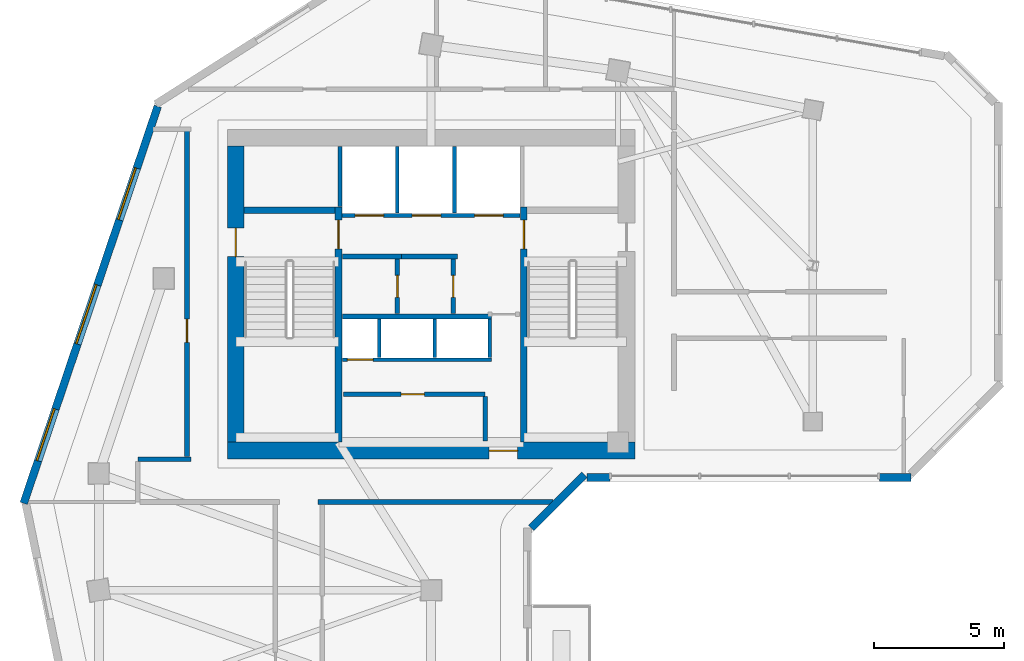
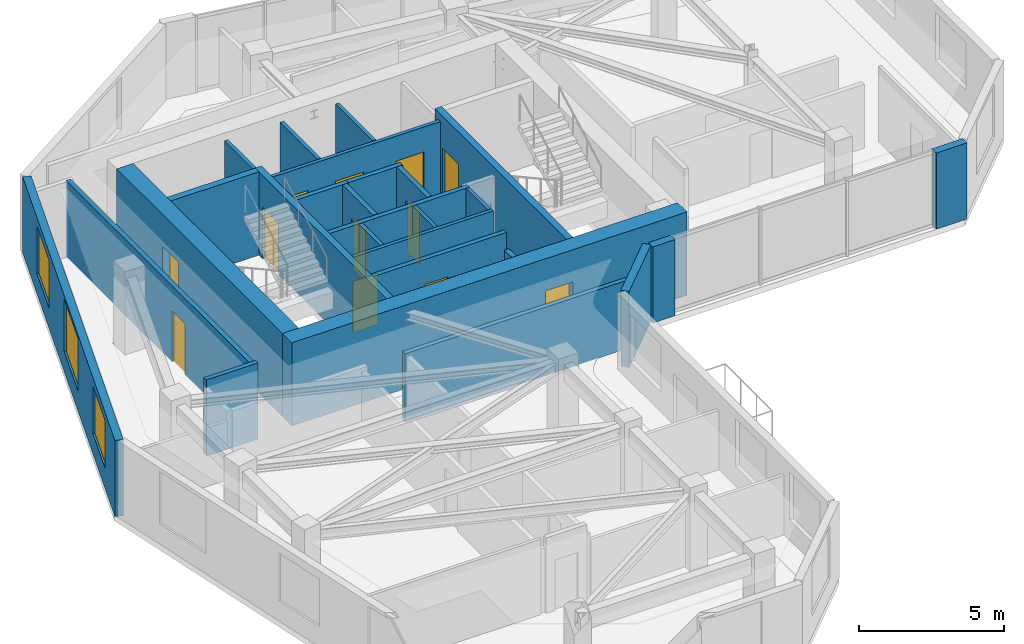
# One storey, part 4 of 9: 27 walls, 12 doors, 3 windows, 15 openings.
"""IFC4 building model written with IfcOpenShell, lengths in metres."""

from ifc_helpers import new_model, si_unit, direction, frame, frame_2d, origin, place, context, subcontext, project, spatial, rectangle, extrude, source, transform, mapped, material, layer, layer_set, type_object, element, fill, save


model = new_model("IFC4")

# Units and contexts
model_context = context("Model", 3, precision=1e-05, world=origin(), true_north=direction((0.0, 1.0)))
body_context = subcontext(model_context, "Body", "Model", "MODEL_VIEW")
ifc_project = project(units=[si_unit("LENGTHUNIT", "METRE"), si_unit("AREAUNIT", "SQUARE_METRE"), si_unit("VOLUMEUNIT", "CUBIC_METRE"), si_unit("PLANEANGLEUNIT", "RADIAN"), si_unit("MASSUNIT", "GRAM", prefix="KILO")], contexts=[model_context])

# Site, building, storey
site_placement = place(None, origin())
site = spatial("IfcSite", under=ifc_project, at=site_placement, CompositionType="ELEMENT")
building_placement = place(site_placement, origin())
building = spatial("IfcBuilding", under=site, at=building_placement, Name="Calvemar Wedge Station Tower", CompositionType="ELEMENT")
storey_placement = place(building_placement, frame((0.0, 0.0, 239.39990234375)))
storey = spatial("IfcBuildingStorey", under=building, at=storey_placement, Name="L61", CompositionType="ELEMENT", Elevation=239.39990234375)

# Wall, opening, door
ifc_material_1 = material(Name="Concrete C50", Category="concrete")
ifc_layer_1 = layer(ifc_material_1, 0.260009765625)
ifc_layer_set_1 = layer_set([ifc_layer_1], Name="Concrete C50")
wall_type_1 = type_object("IfcWallType", Name="SW-CORE-260", PredefinedType="SHEAR", material=ifc_layer_set_1)
wall_1_placement = place(storey_placement, frame((20.22998046875, 34.199951171875, 0.0), z_axis=(0.0, 0.0, 1.0), x_axis=(0.0, 1.0, 0.0)))
wall_1 = element("IfcWall", 1, at=wall_1_placement, inside=storey, type_object=wall_type_1, Name="Storey L61 Core Shear Wall SPINE-W", PredefinedType="SHEAR", context=body_context, shape_type="SweptSolid", body=[
    extrude(rectangle(XDim=9.06005859375, YDim=0.260009765625, at=frame_2d((4.530029296875, 0.0))), origin(), (0.0, 0.0, 1.0), 3.5),
])
shared_shape_1 = source(origin(), body_context, "Body", "SweptSolid", [
    extrude(rectangle(XDim=1.10009765625, YDim=2.14990234375, at=frame_2d((0.550048828125, 1.074951171875))), frame((0.0, 0.14013671875, 0.0), z_axis=(0.0, -1.0, 0.0), x_axis=(1.0, 0.0, 0.0)), (0.0, 0.0, 1.0), 0.280029296875),
])
opening_1_placement = place(wall_1_placement, frame((7.449951171875, 0.0, 0.0)))
opening_1 = element("IfcOpeningElement", 2, at=opening_1_placement, cuts=wall_1, Name="Opening FD-90", PredefinedType="OPENING", context=body_context, shape_type="MappedRepresentation", body=[
    mapped(shared_shape_1, transform((0.0, 0.0, 0.0), scale=1.0)),
])
ifc_material_2 = material(Name="Galvanized fire-rated steel door leaf P-90", Category="steel")
door_type_1 = type_object("IfcDoorType", Name="DR-FD90-1100", OperationType="NOTDEFINED", PredefinedType="DOOR", material=ifc_material_2)
shared_shape_2 = source(origin(), body_context, "Body", "SweptSolid", [
    extrude(rectangle(XDim=1.10009765625, YDim=2.14990234375, at=frame_2d((0.550048828125, 1.074951171875))), frame((0.0, 0.02490234375, 0.0), z_axis=(0.0, -1.0, 0.0), x_axis=(1.0, 0.0, 0.0)), (0.0, 0.0, 1.0), 0.050048828125),
])
door_1_placement = place(opening_1_placement, origin())
door_1 = element("IfcDoor", 3, at=door_1_placement, inside=storey, type_object=door_type_1, Name="L61 FF Lobby to Stair ST-C1 Door", OperationType="SINGLE_SWING_RIGHT", OverallHeight=2.14990234375, OverallWidth=1.10009765625, PredefinedType="DOOR", context=body_context, shape_type="MappedRepresentation", body=[
    mapped(shared_shape_2, transform((0.0, 0.0, 0.0), scale=1.0)),
])
fill(opening_1, door_1)

wall_2_placement = place(storey_placement, frame((27.3701171875, 34.199951171875, 0.0), z_axis=(0.0, 0.0, 1.0), x_axis=(0.0, 1.0, 0.0)))
wall_2 = element("IfcWall", 4, at=wall_2_placement, inside=storey, type_object=wall_type_1, Name="Storey L61 Core Shear Wall SPINE-E", PredefinedType="SHEAR", context=body_context, shape_type="SweptSolid", body=[
    extrude(rectangle(XDim=9.06005859375, YDim=0.260009765625, at=frame_2d((4.530029296875, 0.0))), origin(), (0.0, 0.0, 1.0), 3.5),
])
opening_2_placement = place(wall_2_placement, frame((7.449951171875, 0.0, 0.0)))
opening_2 = element("IfcOpeningElement", 5, at=opening_2_placement, cuts=wall_2, Name="Opening FD-90", PredefinedType="OPENING", context=body_context, shape_type="MappedRepresentation", body=[
    mapped(shared_shape_1, transform((0.0, 0.0, 0.0), scale=1.0)),
])
door_2_placement = place(opening_2_placement, origin())
door_2 = element("IfcDoor", 6, at=door_2_placement, inside=storey, type_object=door_type_1, Name="L61 FF Lobby to Stair ST-C2 Door", OperationType="SINGLE_SWING_LEFT", OverallHeight=2.14990234375, OverallWidth=1.10009765625, PredefinedType="DOOR", context=body_context, shape_type="MappedRepresentation", body=[
    mapped(shared_shape_2, transform((0.0, 0.0, 0.0), scale=1.0)),
])
fill(opening_2, door_2)

# Wall
wall_3_placement = place(storey_placement, frame((16.60009765625, 43.1298828125, 0.0), z_axis=(0.0, 0.0, 1.0), x_axis=(1.0, 0.0, 0.0)))
element("IfcWall", 7, at=wall_3_placement, inside=storey, type_object=wall_type_1, Name="Storey L61 Core Shear Wall STC1-N", PredefinedType="SHEAR", context=body_context, shape_type="SweptSolid", body=[
    extrude(rectangle(XDim=3.5, YDim=0.260009765625, at=frame_2d((1.75, 0.0))), origin(), (0.0, 0.0, 1.0), 3.5),
])

# Wall, opening, door
ifc_material_3 = material(Name="Concrete C60", Category="concrete")
ifc_layer_2 = layer(ifc_material_3, 0.64990234375)
ifc_layer_set_2 = layer_set([ifc_layer_2], Name="Concrete C60")
wall_type_2 = type_object("IfcWallType", Name="SW-CORE-650", PredefinedType="SHEAR", material=ifc_layer_set_2)
wall_4_placement = place(storey_placement, frame((15.949951171875, 33.875, 0.0), z_axis=(0.0, 0.0, 1.0), x_axis=(1.0, 0.0, 0.0)))
wall_4 = element("IfcWall", 8, at=wall_4_placement, inside=storey, type_object=wall_type_2, Name="Storey L61 Core Shear Wall S", PredefinedType="SHEAR", context=body_context, shape_type="SweptSolid", body=[
    extrude(rectangle(XDim=15.699951171875, YDim=0.64990234375, at=frame_2d((7.85009765625, 0.0))), origin(), (0.0, 0.0, 1.0), 3.5),
])
shared_shape_3 = source(origin(), body_context, "Body", "SweptSolid", [
    extrude(rectangle(XDim=1.10009765625, YDim=2.14990234375, at=frame_2d((0.550048828125, 1.074951171875))), frame((0.0, 0.3349609375, 0.0), z_axis=(0.0, -1.0, 0.0), x_axis=(1.0, 0.0, 0.0)), (0.0, 0.0, 1.0), 0.669921875),
])
opening_3_placement = place(wall_4_placement, frame((10.080078125, 0.0, 0.0)))
opening_3 = element("IfcOpeningElement", 9, at=opening_3_placement, cuts=wall_4, Name="Opening FD-90", PredefinedType="OPENING", context=body_context, shape_type="MappedRepresentation", body=[
    mapped(shared_shape_3, transform((0.0, 0.0, 0.0), scale=1.0)),
])
door_3_placement = place(opening_3_placement, origin())
door_3 = element("IfcDoor", 10, at=door_3_placement, inside=storey, type_object=door_type_1, Name="L61 Passenger Lift Lobby Door", OperationType="SINGLE_SWING_RIGHT", OverallHeight=2.14990234375, OverallWidth=1.10009765625, PredefinedType="DOOR", context=body_context, shape_type="MappedRepresentation", body=[
    mapped(shared_shape_2, transform((0.0, 0.0, 0.0), scale=1.0)),
])
fill(opening_3, door_3)

wall_5_placement = place(storey_placement, frame((16.27490234375, 34.199951171875, 0.0), z_axis=(0.0, 0.0, 1.0), x_axis=(0.0, 1.0, 0.0)))
wall_5 = element("IfcWall", 11, at=wall_5_placement, inside=storey, type_object=wall_type_2, Name="Storey L61 Core Shear Wall W", PredefinedType="SHEAR", context=body_context, shape_type="SweptSolid", body=[
    extrude(rectangle(XDim=11.400146484375, YDim=0.64990234375, at=frame_2d((5.7001953125, 0.0))), origin(), (0.0, 0.0, 1.0), 3.5),
])
opening_4_placement = place(wall_5_placement, frame((7.14990234375, 0.0, 0.0)))
opening_4 = element("IfcOpeningElement", 12, at=opening_4_placement, cuts=wall_5, Name="Opening FD-90", PredefinedType="OPENING", context=body_context, shape_type="MappedRepresentation", body=[
    mapped(shared_shape_3, transform((0.0, 0.0, 0.0), scale=1.0)),
])
door_4_placement = place(opening_4_placement, origin())
door_4 = element("IfcDoor", 13, at=door_4_placement, inside=storey, type_object=door_type_1, Name="L61 West Corridor to Exit Stair ST-C1 Door", OperationType="SINGLE_SWING_RIGHT", OverallHeight=2.14990234375, OverallWidth=1.10009765625, PredefinedType="DOOR", context=body_context, shape_type="MappedRepresentation", body=[
    mapped(shared_shape_2, transform((0.0, 0.0, 0.0), scale=1.0)),
])
fill(opening_4, door_4)

# Walls
ifc_material_4 = material(Name="Double-stud fire-rated corridor partition")
ifc_layer_3 = layer(ifc_material_4, 0.179931640625)
ifc_layer_set_3 = layer_set([ifc_layer_3], Name="Double-stud fire-rated corridor partition")
wall_type_3 = type_object("IfcWallType", Name="W-CORR-180", PredefinedType="PARTITIONING", material=ifc_layer_set_3)
wall_6_placement = place(storey_placement, frame((22.659912109375, 41.35009765625, 0.0), z_axis=(0.0, 0.0, 1.0), x_axis=(-1.0, 0.0, 0.0)))
element("IfcWall", 14, at=wall_6_placement, inside=storey, type_object=wall_type_3, Name="Storey L61 Interior Partition WL-L61-001", PredefinedType="PARTITIONING", context=body_context, shape_type="SweptSolid", body=[
    extrude(rectangle(XDim=2.280029296875, YDim=0.179931640625, at=frame_2d((1.14013671875, 0.0))), origin(), (0.0, 0.0, 1.0), 3.2001953125),
])
wall_7_placement = place(storey_placement, frame((24.81005859375, 41.35009765625, 0.0), z_axis=(0.0, 0.0, 1.0), x_axis=(-1.0, 0.0, 0.0)))
element("IfcWall", 15, at=wall_7_placement, inside=storey, type_object=wall_type_3, Name="Storey L61 Interior Partition WL-L61-002", PredefinedType="PARTITIONING", context=body_context, shape_type="SweptSolid", body=[
    extrude(rectangle(XDim=2.14794921875, YDim=0.179931640625, at=frame_2d((1.073974609375, 0.0))), origin(), (0.0, 0.0, 1.0), 3.2001953125),
])

# Wall, opening, door
wall_8_placement = place(storey_placement, frame((22.5, 41.256103515625, 0.0), z_axis=(0.0, 0.0, 1.0), x_axis=(0.0, -1.0, 0.0)))
wall_8 = element("IfcWall", 16, at=wall_8_placement, inside=storey, type_object=wall_type_3, Name="Storey L61 Interior Partition WL-L61-003", PredefinedType="PARTITIONING", context=body_context, shape_type="SweptSolid", body=[
    extrude(rectangle(XDim=2.106201171875, YDim=0.179931640625, at=frame_2d((1.05322265625, 0.0))), origin(), (0.0, 0.0, 1.0), 3.2001953125),
])
shared_shape_4 = source(origin(), body_context, "Body", "SweptSolid", [
    extrude(rectangle(XDim=0.85009765625, YDim=2.14990234375, at=frame_2d((0.425048828125, 1.074951171875))), frame((0.0, 0.10009765625, 0.0), z_axis=(0.0, -1.0, 0.0), x_axis=(1.0, 0.0, 0.0)), (0.0, 0.0, 1.0), 0.199951171875),
])
opening_5_placement = place(wall_8_placement, frame((0.6279296875, 0.0, 0.0)))
opening_5 = element("IfcOpeningElement", 17, at=opening_5_placement, cuts=wall_8, Name="Opening FD-60S", PredefinedType="OPENING", context=body_context, shape_type="MappedRepresentation", body=[
    mapped(shared_shape_4, transform((0.0, 0.0, 0.0), scale=1.0)),
])
ifc_material_5 = material(Name="Fire-rated steel and hardwood service door EI 60", Category="steel")
door_type_2 = type_object("IfcDoorType", Name="DR-CORE-FD60-850", OperationType="NOTDEFINED", PredefinedType="DOOR", material=ifc_material_5)
shared_shape_5 = source(origin(), body_context, "Body", "SweptSolid", [
    extrude(rectangle(XDim=0.85009765625, YDim=2.14990234375, at=frame_2d((0.425048828125, 1.074951171875))), frame((0.0, 0.02490234375, 0.0), z_axis=(0.0, -1.0, 0.0), x_axis=(1.0, 0.0, 0.0)), (0.0, 0.0, 1.0), 0.050048828125),
])
door_5_placement = place(opening_5_placement, origin())
door_5 = element("IfcDoor", 18, at=door_5_placement, inside=storey, type_object=door_type_2, Name="L61 IT and Telecoms Room Door", OperationType="SINGLE_SWING_LEFT", OverallHeight=2.14990234375, OverallWidth=0.85009765625, PredefinedType="DOOR", context=body_context, shape_type="MappedRepresentation", body=[
    mapped(shared_shape_5, transform((0.0, 0.0, 0.0), scale=1.0)),
])
fill(opening_5, door_5)

wall_9_placement = place(storey_placement, frame((24.64990234375, 41.256103515625, 0.0), z_axis=(0.0, 0.0, 1.0), x_axis=(0.0, -1.0, 0.0)))
wall_9 = element("IfcWall", 19, at=wall_9_placement, inside=storey, type_object=wall_type_3, Name="Storey L61 Interior Partition WL-L61-004", PredefinedType="PARTITIONING", context=body_context, shape_type="SweptSolid", body=[
    extrude(rectangle(XDim=2.106201171875, YDim=0.179931640625, at=frame_2d((1.05322265625, 0.0))), origin(), (0.0, 0.0, 1.0), 3.2001953125),
])
opening_6_placement = place(wall_9_placement, frame((0.6279296875, 0.0, 0.0)))
opening_6 = element("IfcOpeningElement", 20, at=opening_6_placement, cuts=wall_9, Name="Opening FD-60S", PredefinedType="OPENING", context=body_context, shape_type="MappedRepresentation", body=[
    mapped(shared_shape_4, transform((0.0, 0.0, 0.0), scale=1.0)),
])
door_6_placement = place(opening_6_placement, origin())
door_6 = element("IfcDoor", 21, at=door_6_placement, inside=storey, type_object=door_type_2, Name="L61 Core Equipment Store Door", OperationType="SINGLE_SWING_RIGHT", OverallHeight=2.14990234375, OverallWidth=0.85009765625, PredefinedType="DOOR", context=body_context, shape_type="MappedRepresentation", body=[
    mapped(shared_shape_5, transform((0.0, 0.0, 0.0), scale=1.0)),
])
fill(opening_6, door_6)

wall_10_placement = place(storey_placement, frame((20.419921875, 36.050048828125, 0.0), z_axis=(0.0, 0.0, 1.0), x_axis=(1.0, 0.0, 0.0)))
wall_10 = element("IfcWall", 22, at=wall_10_placement, inside=storey, type_object=wall_type_3, Name="Storey L61 Interior Partition WL-L61-006", PredefinedType="PARTITIONING", context=body_context, shape_type="SweptSolid", body=[
    extrude(rectangle(XDim=5.4599609375, YDim=0.179931640625, at=frame_2d((2.72998046875, 0.0))), origin(), (0.0, 0.0, 1.0), 3.2001953125),
])
shared_shape_6 = source(origin(), body_context, "Body", "SweptSolid", [
    extrude(rectangle(XDim=0.89990234375, YDim=2.14990234375, at=frame_2d((0.449951171875, 1.074951171875))), frame((0.0, 0.10009765625, 0.0), z_axis=(0.0, -1.0, 0.0), x_axis=(1.0, 0.0, 0.0)), (0.0, 0.0, 1.0), 0.199951171875),
])
opening_7_placement = place(wall_10_placement, frame((2.219482421875, 0.0, 0.0)))
opening_7 = element("IfcOpeningElement", 23, at=opening_7_placement, cuts=wall_10, Name="Opening FD-60", PredefinedType="OPENING", context=body_context, shape_type="MappedRepresentation", body=[
    mapped(shared_shape_6, transform((0.0, 0.0, 0.0), scale=1.0)),
])
ifc_material_6 = material(Name="Fire-rated acoustic timber-core entrance door EI 60", Category="wood")
door_type_3 = type_object("IfcDoorType", Name="DR-FD60-900", OperationType="NOTDEFINED", PredefinedType="DOOR", material=ifc_material_6)
shared_shape_7 = source(origin(), body_context, "Body", "SweptSolid", [
    extrude(rectangle(XDim=0.89990234375, YDim=2.14990234375, at=frame_2d((0.449951171875, 1.074951171875))), frame((0.0, 0.02490234375, 0.0), z_axis=(0.0, -1.0, 0.0), x_axis=(1.0, 0.0, 0.0)), (0.0, 0.0, 1.0), 0.050048828125),
])
door_7_placement = place(opening_7_placement, origin())
door_7 = element("IfcDoor", 24, at=door_7_placement, inside=storey, type_object=door_type_3, Name="L61 Parcel and Resident Store Door", OperationType="SINGLE_SWING_RIGHT", OverallHeight=2.14990234375, OverallWidth=0.89990234375, PredefinedType="DOOR", context=body_context, shape_type="MappedRepresentation", body=[
    mapped(shared_shape_7, transform((0.0, 0.0, 0.0), scale=1.0)),
])
fill(opening_7, door_7)

# Walls
wall_11_placement = place(storey_placement, frame((25.8798828125, 35.9560546875, 0.0), z_axis=(0.0, 0.0, 1.0), x_axis=(0.0, -1.0, 0.0)))
element("IfcWall", 25, at=wall_11_placement, inside=storey, type_object=wall_type_3, Name="Storey L61 Interior Partition WL-L61-007", PredefinedType="PARTITIONING", context=body_context, shape_type="SweptSolid", body=[
    extrude(rectangle(XDim=1.7060546875, YDim=0.179931640625, at=frame_2d((0.85302734375, 0.0))), origin(), (0.0, 0.0, 1.0), 2.4921875),
])
wall_12_placement = place(storey_placement, frame((12.5, 33.550048828125, 0.0), z_axis=(0.0, 0.0, 1.0), x_axis=(1.0, 0.0, 0.0)))
element("IfcWall", 26, at=wall_12_placement, inside=storey, type_object=wall_type_3, Name="Storey L61 Interior Partition WL-L61-008", PredefinedType="PARTITIONING", context=body_context, shape_type="SweptSolid", body=[
    extrude(rectangle(XDim=2.06005859375, YDim=0.179931640625, at=frame_2d((1.030029296875, 0.0))), origin(), (0.0, 0.0, 1.0), 3.2001953125),
])
wall_13_placement = place(storey_placement, frame((28.497314453125, 31.89990234375, 0.0), z_axis=(0.0, 0.0, 1.0), x_axis=(-1.0, 0.0, 0.0)))
element("IfcWall", 27, at=wall_13_placement, inside=storey, type_object=wall_type_3, Name="Storey L61 Interior Partition WL-L61-011", PredefinedType="PARTITIONING", context=body_context, shape_type="SweptSolid", body=[
    extrude(rectangle(XDim=9.057373046875, YDim=0.179931640625, at=frame_2d((4.52880859375, 0.0))), origin(), (0.0, 0.0, 1.0), 2.869140625),
])

# Wall, opening, door
wall_14_placement = place(storey_placement, frame((14.39990234375, 33.64404296875, 0.0), z_axis=(0.0, 0.0, 1.0), x_axis=(0.0, 1.0, 0.0)))
wall_14 = element("IfcWall", 28, at=wall_14_placement, inside=storey, type_object=wall_type_3, Name="Storey L61 Interior Partition WL-L61-012", PredefinedType="PARTITIONING", context=body_context, shape_type="SweptSolid", body=[
    extrude(rectangle(XDim=12.60595703125, YDim=0.179931640625, at=frame_2d((6.302978515625, 0.0))), origin(), (0.0, 0.0, 1.0), 3.2001953125),
])
opening_8_placement = place(wall_14_placement, frame((4.399169921875, 0.0, 0.0)))
opening_8 = element("IfcOpeningElement", 29, at=opening_8_placement, cuts=wall_14, Name="Opening D-01", PredefinedType="OPENING", context=body_context, shape_type="MappedRepresentation", body=[
    mapped(shared_shape_6, transform((0.0, 0.0, 0.0), scale=1.0)),
])
ifc_material_7 = material(Name="Architectural hardwood acoustic swing door", Category="wood")
door_type_4 = type_object("IfcDoorType", Name="DR-INT-900", OperationType="NOTDEFINED", PredefinedType="DOOR", material=ifc_material_7)
shared_shape_8 = source(origin(), body_context, "Body", "SweptSolid", [
    extrude(rectangle(XDim=0.89990234375, YDim=2.14990234375, at=frame_2d((0.449951171875, 1.074951171875))), frame((0.0, 0.02490234375, 0.0), z_axis=(0.0, -1.0, 0.0), x_axis=(1.0, 0.0, 0.0)), (0.0, 0.0, 1.0), 0.050048828125),
])
door_8_placement = place(opening_8_placement, origin())
door_8 = element("IfcDoor", 30, at=door_8_placement, inside=storey, type_object=door_type_4, Name="L61 Resident Reading Lounge Door", OperationType="SINGLE_SWING_LEFT", OverallHeight=2.14990234375, OverallWidth=0.89990234375, PredefinedType="DOOR", context=body_context, shape_type="MappedRepresentation", body=[
    mapped(shared_shape_8, transform((0.0, 0.0, 0.0), scale=1.0)),
])
fill(opening_8, door_8)

# Walls
ifc_material_8 = material(Name="Precast concrete C45", Category="concrete")
ifc_layer_4 = layer(ifc_material_8, 0.300048828125)
ifc_layer_set_4 = layer_set([ifc_layer_4], Name="Precast concrete C45")
wall_type_4 = type_object("IfcWallType", Name="W-EXT-GFRC-300", PredefinedType="SOLIDWALL", material=ifc_layer_set_4)
wall_15_placement = place(storey_placement, frame((27.652099609375, 30.89208984375, 0.0), z_axis=(0.0, 0.0, 1.0), x_axis=(0.707106781187, 0.707106781187, 0.0)))
element("IfcWall", 31, at=wall_15_placement, inside=storey, type_object=wall_type_4, Name="Storey L61 Bronze GFRC Exterior Wall 5", PredefinedType="SOLIDWALL", context=body_context, shape_type="SweptSolid", body=[
    extrude(rectangle(XDim=2.907470703125, YDim=0.300048828125, at=frame_2d((1.45361328125, 0.0))), origin(), (0.0, 0.0, 1.0), 3.2001953125),
])
wall_16_placement = place(storey_placement, frame((29.797119140625, 32.842041015625, 0.0), z_axis=(0.0, 0.0, 1.0), x_axis=(1.0, 0.0, 0.0)))
element("IfcWall", 32, at=wall_16_placement, inside=storey, type_object=wall_type_4, Name="Storey L61 Bronze GFRC Corner Pier 6A", PredefinedType="SOLIDWALL", context=body_context, shape_type="SweptSolid", body=[
    extrude(rectangle(XDim=0.88232421875, YDim=0.300048828125, at=frame_2d((0.441162109375, 0.0))), origin(), (0.0, 0.0, 1.0), 3.2001953125),
])
wall_17_placement = place(storey_placement, frame((41.060302734375, 32.842041015625, 0.0), z_axis=(0.0, 0.0, 1.0), x_axis=(1.0, 0.0, 0.0)))
element("IfcWall", 33, at=wall_17_placement, inside=storey, type_object=wall_type_4, Name="Storey L61 Bronze GFRC Corner Pier 6B", PredefinedType="SOLIDWALL", context=body_context, shape_type="SweptSolid", body=[
    extrude(rectangle(XDim=1.2275390625, YDim=0.300048828125, at=frame_2d((0.61376953125, 0.0))), origin(), (0.0, 0.0, 1.0), 3.2001953125),
])

# Wall, openings, windows
wall_18_placement = place(storey_placement, frame((13.2685546875, 47.1337890625, 0.0), z_axis=(0.0, 0.0, 1.0), x_axis=(-0.319920776449, -0.947444297464, 0.0)))
wall_18 = element("IfcWall", 34, at=wall_18_placement, inside=storey, type_object=wall_type_4, Name="Storey L61 Bronze GFRC Exterior Wall 12", PredefinedType="SOLIDWALL", context=body_context, shape_type="SweptSolid", body=[
    extrude(rectangle(XDim=16.13330078125, YDim=0.300048828125, at=frame_2d((8.066650390625, 0.0))), origin(), (0.0, 0.0, 1.0), 3.2001953125),
])
shared_shape_9 = source(origin(), body_context, "Body", "SweptSolid", [
    extrude(rectangle(XDim=2.10009765625, YDim=2.0, at=frame_2d((1.050048828125, 1.0))), frame((0.0, 0.16015625, 0.0), z_axis=(0.0, -1.0, 0.0), x_axis=(1.0, 0.0, 0.0)), (0.0, 0.0, 1.0), 0.320068359375),
])
opening_9_placement = place(wall_18_placement, frame((2.512939453125, 0.0, 0.85009765625)))
opening_9 = element("IfcOpeningElement", 35, at=opening_9_placement, cuts=wall_18, Name="Opening W4", PredefinedType="OPENING", context=body_context, shape_type="MappedRepresentation", body=[
    mapped(shared_shape_9, transform((0.0, 0.0, 0.0), scale=1.0)),
])
shared_shape_10 = source(origin(), body_context, "Body", "SweptSolid", [
    extrude(rectangle(XDim=2.39990234375, YDim=2.199951171875, at=frame_2d((1.199951171875, 1.10009765625))), frame((0.0, 0.16015625, 0.0), z_axis=(0.0, -1.0, 0.0), x_axis=(1.0, 0.0, 0.0)), (0.0, 0.0, 1.0), 0.320068359375),
])
opening_10_placement = place(wall_18_placement, frame((7.260009765625, 0.0, 0.85009765625)))
opening_10 = element("IfcOpeningElement", 36, at=opening_10_placement, cuts=wall_18, Name="Opening W1", PredefinedType="OPENING", context=body_context, shape_type="MappedRepresentation", body=[
    mapped(shared_shape_10, transform((0.0, 0.0, 0.0), scale=1.0)),
])
opening_11_placement = place(wall_18_placement, frame((12.306884765625, 0.0, 0.85009765625)))
opening_11 = element("IfcOpeningElement", 37, at=opening_11_placement, cuts=wall_18, Name="Opening W4", PredefinedType="OPENING", context=body_context, shape_type="MappedRepresentation", body=[
    mapped(shared_shape_9, transform((0.0, 0.0, 0.0), scale=1.0)),
])
ifc_material_9 = material(Name="Low-E laminated insulated glass", Category="glass")
window_type_1 = type_object("IfcWindowType", Name="WIN-EXT-4", PartitioningType="SINGLE_PANEL", PredefinedType="WINDOW", material=ifc_material_9)
shared_shape_11 = source(origin(), body_context, "Body", "SweptSolid", [
    extrude(rectangle(XDim=2.10009765625, YDim=2.0, at=frame_2d((1.050048828125, 1.0))), frame((0.0, -0.014892578125, 0.0), z_axis=(0.0, -1.0, 0.0), x_axis=(1.0, 0.0, 0.0)), (0.0, 0.0, 1.0), 0.06005859375),
])
window_1_placement = place(opening_9_placement, origin())
window_1 = element("IfcWindow", 38, at=window_1_placement, inside=storey, type_object=window_type_1, Name="Storey L61 Recessed Window 12.1", OverallHeight=2.0, OverallWidth=2.10009765625, PartitioningType="SINGLE_PANEL", PredefinedType="WINDOW", context=body_context, shape_type="MappedRepresentation", body=[
    mapped(shared_shape_11, transform((0.0, 0.0, 0.0), scale=1.0)),
])
fill(opening_9, window_1)
window_2_placement = place(opening_11_placement, origin())
window_2 = element("IfcWindow", 39, at=window_2_placement, inside=storey, type_object=window_type_1, Name="Storey L61 Recessed Window 12.3", OverallHeight=2.0, OverallWidth=2.10009765625, PartitioningType="SINGLE_PANEL", PredefinedType="WINDOW", context=body_context, shape_type="MappedRepresentation", body=[
    mapped(shared_shape_11, transform((0.0, 0.0, 0.0), scale=1.0)),
])
fill(opening_11, window_2)
window_type_2 = type_object("IfcWindowType", Name="WIN-EXT-1", PartitioningType="SINGLE_PANEL", PredefinedType="WINDOW", material=ifc_material_9)
shared_shape_12 = source(origin(), body_context, "Body", "SweptSolid", [
    extrude(rectangle(XDim=2.39990234375, YDim=2.199951171875, at=frame_2d((1.199951171875, 1.10009765625))), frame((0.0, -0.014892578125, 0.0), z_axis=(0.0, -1.0, 0.0), x_axis=(1.0, 0.0, 0.0)), (0.0, 0.0, 1.0), 0.06005859375),
])
window_3_placement = place(opening_10_placement, origin())
window_3 = element("IfcWindow", 40, at=window_3_placement, inside=storey, type_object=window_type_2, Name="Storey L61 Recessed Window 12.2", OverallHeight=2.199951171875, OverallWidth=2.39990234375, PartitioningType="SINGLE_PANEL", PredefinedType="WINDOW", context=body_context, shape_type="MappedRepresentation", body=[
    mapped(shared_shape_12, transform((0.0, 0.0, 0.0), scale=1.0)),
])
fill(opening_10, window_3)

# Wall, openings, doors
ifc_material_10 = material(Name="Reinforced concrete blockwork lift shaft wall", Category="masonry")
ifc_layer_5 = layer(ifc_material_10, 0.139892578125)
ifc_layer_set_5 = layer_set([ifc_layer_5], Name="Reinforced concrete blockwork lift shaft wall")
wall_type_5 = type_object("IfcWallType", Name="W-LIFT-160", PredefinedType="SOLIDWALL", material=ifc_layer_set_5)
wall_19_placement = place(storey_placement, frame((20.3701171875, 42.929931640625, 0.0), z_axis=(0.0, 0.0, 1.0), x_axis=(1.0, 0.0, 0.0)))
wall_19 = element("IfcWall", 41, at=wall_19_placement, inside=storey, type_object=wall_type_5, Name="Storey L61 Firefighting and Service Lift Shaft Front Wall", PredefinedType="SOLIDWALL", context=body_context, shape_type="SweptSolid", body=[
    extrude(rectangle(XDim=6.85986328125, YDim=0.139892578125, at=frame_2d((3.429931640625, 0.0))), origin(), (0.0, 0.0, 1.0), 3.2001953125),
])
shared_shape_13 = source(origin(), body_context, "Body", "SweptSolid", [
    extrude(rectangle(XDim=1.10009765625, YDim=2.14990234375, at=frame_2d((0.550048828125, 1.074951171875))), frame((0.0, 0.080078125, 0.0), z_axis=(0.0, -1.0, 0.0), x_axis=(1.0, 0.0, 0.0)), (0.0, 0.0, 1.0), 0.159912109375),
])
opening_12_placement = place(wall_19_placement, frame((0.5, 0.0, 0.0)))
opening_12 = element("IfcOpeningElement", 42, at=opening_12_placement, cuts=wall_19, Name="Opening LD-FF", PredefinedType="OPENING", context=body_context, shape_type="MappedRepresentation", body=[
    mapped(shared_shape_13, transform((0.0, 0.0, 0.0), scale=1.0)),
])
opening_13_placement = place(wall_19_placement, frame((2.699951171875, 0.0, 0.0)))
opening_13 = element("IfcOpeningElement", 43, at=opening_13_placement, cuts=wall_19, Name="Opening LD-FF", PredefinedType="OPENING", context=body_context, shape_type="MappedRepresentation", body=[
    mapped(shared_shape_13, transform((0.0, 0.0, 0.0), scale=1.0)),
])
opening_14_placement = place(wall_19_placement, frame((5.10009765625, 0.0, 0.0)))
opening_14 = element("IfcOpeningElement", 44, at=opening_14_placement, cuts=wall_19, Name="Opening LD-STN", PredefinedType="OPENING", context=body_context, shape_type="MappedRepresentation", body=[
    mapped(shared_shape_13, transform((0.0, 0.0, 0.0), scale=1.0)),
])
ifc_material_11 = material(Name="Stainless steel firefighting lift sliding landing door", Category="steel")
door_type_5 = type_object("IfcDoorType", Name="DR-LD-FF-1100", OperationType="SLIDING_TO_LEFT", PredefinedType="DOOR", material=ifc_material_11)
shared_shape_14 = source(origin(), body_context, "Body", "SweptSolid", [
    extrude(rectangle(XDim=1.10009765625, YDim=2.14990234375, at=frame_2d((0.550048828125, 1.074951171875))), frame((0.0, 0.02490234375, 0.0), z_axis=(0.0, -1.0, 0.0), x_axis=(1.0, 0.0, 0.0)), (0.0, 0.0, 1.0), 0.050048828125),
])
door_9_placement = place(opening_12_placement, origin())
door_9 = element("IfcDoor", 45, at=door_9_placement, inside=storey, type_object=door_type_5, Name="L61 Lift FF-01 Sliding Landing Door", OperationType="SLIDING_TO_LEFT", OverallHeight=2.14990234375, OverallWidth=1.10009765625, PredefinedType="DOOR", context=body_context, shape_type="MappedRepresentation", body=[
    mapped(shared_shape_14, transform((0.0, 0.0, 0.0), scale=1.0)),
])
fill(opening_12, door_9)
door_10_placement = place(opening_13_placement, origin())
door_10 = element("IfcDoor", 46, at=door_10_placement, inside=storey, type_object=door_type_5, Name="L61 Lift FF-02 Sliding Landing Door", OperationType="SLIDING_TO_RIGHT", OverallHeight=2.14990234375, OverallWidth=1.10009765625, PredefinedType="DOOR", context=body_context, shape_type="MappedRepresentation", body=[
    mapped(shared_shape_14, transform((0.0, 0.0, 0.0), scale=1.0)),
])
fill(opening_13, door_10)
ifc_material_12 = material(Name="Stainless steel transit lift sliding landing door", Category="steel")
door_type_6 = type_object("IfcDoorType", Name="DR-LD-PAX-1100", OperationType="SLIDING_TO_LEFT", PredefinedType="DOOR", material=ifc_material_12)
shared_shape_15 = source(origin(), body_context, "Body", "SweptSolid", [
    extrude(rectangle(XDim=1.10009765625, YDim=2.14990234375, at=frame_2d((0.550048828125, 1.074951171875))), frame((0.0, 0.02490234375, 0.0), z_axis=(0.0, -1.0, 0.0), x_axis=(1.0, 0.0, 0.0)), (0.0, 0.0, 1.0), 0.050048828125),
])
door_11_placement = place(opening_14_placement, origin())
door_11 = element("IfcDoor", 47, at=door_11_placement, inside=storey, type_object=door_type_6, Name="L61 Lift SV-01 Sliding Landing Door", OperationType="SLIDING_TO_LEFT", OverallHeight=2.14990234375, OverallWidth=1.10009765625, PredefinedType="DOOR", context=body_context, shape_type="MappedRepresentation", body=[
    mapped(shared_shape_15, transform((0.0, 0.0, 0.0), scale=1.0)),
])
fill(opening_14, door_11)

# Walls
wall_20_placement = place(storey_placement, frame((20.2900390625, 43.280029296875, 0.0), z_axis=(0.0, 0.0, 1.0), x_axis=(0.0, 1.0, 0.0)))
element("IfcWall", 48, at=wall_20_placement, inside=storey, type_object=wall_type_5, Name="Storey L61 Firefighting Lift Shaft Enclosure Wall W", PredefinedType="SOLIDWALL", context=body_context, shape_type="SweptSolid", body=[
    extrude(rectangle(XDim=2.300048828125, YDim=0.139892578125, at=frame_2d((1.14990234375, 0.0))), origin(), (0.0, 0.0, 1.0), 3.2001953125),
])
for number, where, z_axis, x_axis, name in (
    (49, (22.5, 43.02001953125, 0.0), (0.0, 0.0, 1.0), (0.0, 1.0, 0.0), "Storey L61 Firefighting Lift Shaft Enclosure Wall D1"),
    (50, (24.699951171875, 43.02001953125, 0.0), (0.0, 0.0, 1.0), (0.0, 1.0, 0.0), "Storey L61 Firefighting Lift Shaft Enclosure Wall D2"),
):
    element("IfcWall", number, at=place(storey_placement, frame(where, z_axis=z_axis, x_axis=x_axis)), inside=storey, type_object=wall_type_5, Name=name, PredefinedType="SOLIDWALL", context=body_context, shape_type="SweptSolid", body=[
        extrude(rectangle(XDim=2.56005859375, YDim=0.139892578125, at=frame_2d((1.280029296875, 0.0))), origin(), (0.0, 0.0, 1.0), 3.2001953125),
    ])

# Wall, opening, door
wall_21_placement = place(storey_placement, frame((20.3798828125, 37.3798828125, 0.0), z_axis=(0.0, 0.0, 1.0), x_axis=(1.0, 0.0, 0.0)))
wall_21 = element("IfcWall", 51, at=wall_21_placement, inside=storey, type_object=wall_type_5, Name="Storey L61 Upper Passenger Lift Bank Front Wall", PredefinedType="SOLIDWALL", context=body_context, shape_type="SweptSolid", body=[
    extrude(rectangle(XDim=5.75, YDim=0.139892578125, at=frame_2d((2.875, 0.0))), origin(), (0.0, 0.0, 1.0), 3.2001953125),
])
shared_shape_16 = source(origin(), body_context, "Body", "SweptSolid", [
    extrude(rectangle(XDim=1.0, YDim=2.14990234375, at=frame_2d((0.5, 1.074951171875))), frame((0.0, 0.080078125, 0.0), z_axis=(0.0, -1.0, 0.0), x_axis=(1.0, 0.0, 0.0)), (0.0, 0.0, 1.0), 0.159912109375),
])
opening_15_placement = place(wall_21_placement, frame((0.18994140625, 0.0, 0.0)))
opening_15 = element("IfcOpeningElement", 52, at=opening_15_placement, cuts=wall_21, Name="Opening LD-PAX", PredefinedType="OPENING", context=body_context, shape_type="MappedRepresentation", body=[
    mapped(shared_shape_16, transform((0.0, 0.0, 0.0), scale=1.0)),
])
ifc_material_13 = material(Name="Anodised bronze passenger lift sliding landing door")
door_type_7 = type_object("IfcDoorType", Name="DR-LD-PAX-1000", OperationType="SLIDING_TO_LEFT", PredefinedType="DOOR", material=ifc_material_13)
shared_shape_17 = source(origin(), body_context, "Body", "SweptSolid", [
    extrude(rectangle(XDim=1.0, YDim=2.14990234375, at=frame_2d((0.5, 1.074951171875))), frame((0.0, 0.02490234375, 0.0), z_axis=(0.0, -1.0, 0.0), x_axis=(1.0, 0.0, 0.0)), (0.0, 0.0, 1.0), 0.050048828125),
])
door_12_placement = place(opening_15_placement, origin())
door_12 = element("IfcDoor", 53, at=door_12_placement, inside=storey, type_object=door_type_7, Name="L61 Lift RH-01 Sliding Landing Door", OperationType="SLIDING_TO_LEFT", OverallHeight=2.14990234375, OverallWidth=1.0, PredefinedType="DOOR", context=body_context, shape_type="MappedRepresentation", body=[
    mapped(shared_shape_17, transform((0.0, 0.0, 0.0), scale=1.0)),
])
fill(opening_15, door_12)

# Walls
for number, where, z_axis, x_axis, name in (
    (54, (26.06005859375, 37.4599609375, 0.0), (0.0, 0.0, 1.0), (0.0, 1.0, 0.0), "Storey L61 Upper Passenger Lift Shaft Wall E"),
    (55, (21.794921875, 37.4599609375, 0.0), (0.0, 0.0, 1.0), (0.0, 1.0, 0.0), "Storey L61 Upper Passenger Lift Shaft Wall D1"),
    (56, (23.93505859375, 37.4599609375, 0.0), (0.0, 0.0, 1.0), (0.0, 1.0, 0.0), "Storey L61 Upper Passenger Lift Shaft Wall D2"),
):
    element("IfcWall", number, at=place(storey_placement, frame(where, z_axis=z_axis, x_axis=x_axis)), inside=storey, type_object=wall_type_5, Name=name, PredefinedType="SOLIDWALL", context=body_context, shape_type="SweptSolid", body=[
        extrude(rectangle(XDim=1.47998046875, YDim=0.139892578125, at=frame_2d((0.739990234375, 0.0))), origin(), (0.0, 0.0, 1.0), 3.2001953125),
    ])
ifc_material_14 = material(Name="Concrete blockwork and fireboard shaft wall", Category="masonry")
ifc_layer_6 = layer(ifc_material_14, 0.199951171875)
ifc_layer_set_6 = layer_set([ifc_layer_6], Name="Concrete blockwork and fireboard shaft wall")
wall_type_6 = type_object("IfcWallType", Name="W-SHAFT-200", PredefinedType="SOLIDWALL", material=ifc_layer_set_6)
wall_22_placement = place(storey_placement, frame((20.3798828125, 39.0400390625, 0.0), z_axis=(0.0, 0.0, 1.0), x_axis=(1.0, 0.0, 0.0)))
element("IfcWall", 57, at=wall_22_placement, inside=storey, type_object=wall_type_6, Name="Storey L61 Upper Passenger Lift Bank Rear Shaft Wall", PredefinedType="SOLIDWALL", context=body_context, shape_type="SweptSolid", body=[
    extrude(rectangle(XDim=5.75, YDim=0.179931640625, at=frame_2d((2.875, 0.0))), origin(), (0.0, 0.0, 1.0), 3.2001953125),
])

save(model, "model.ifc")
